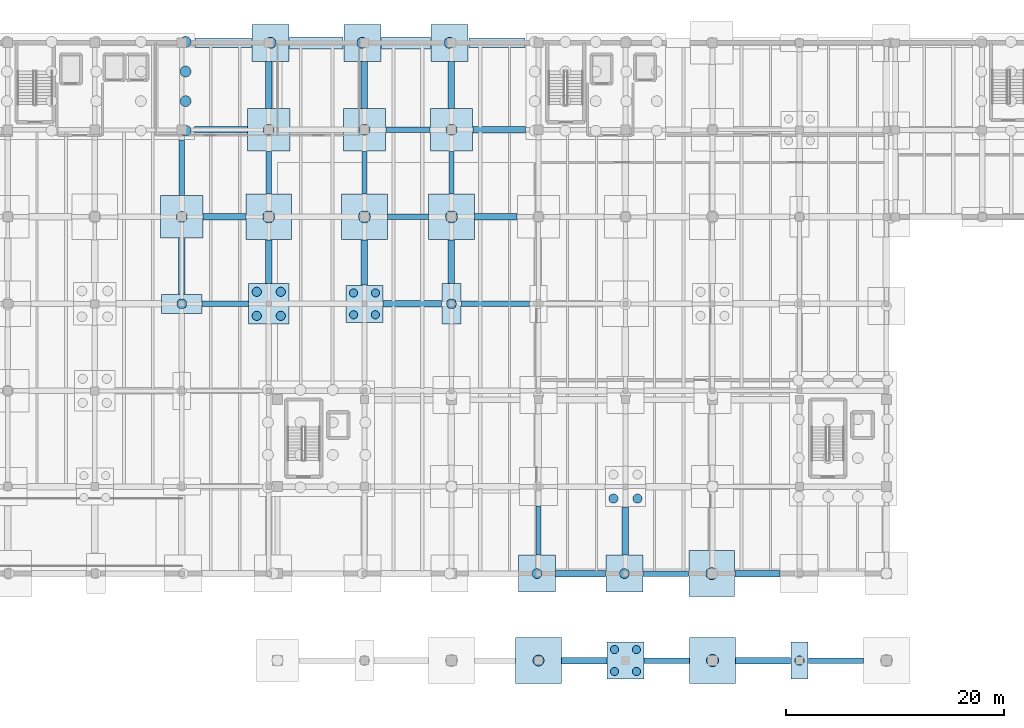
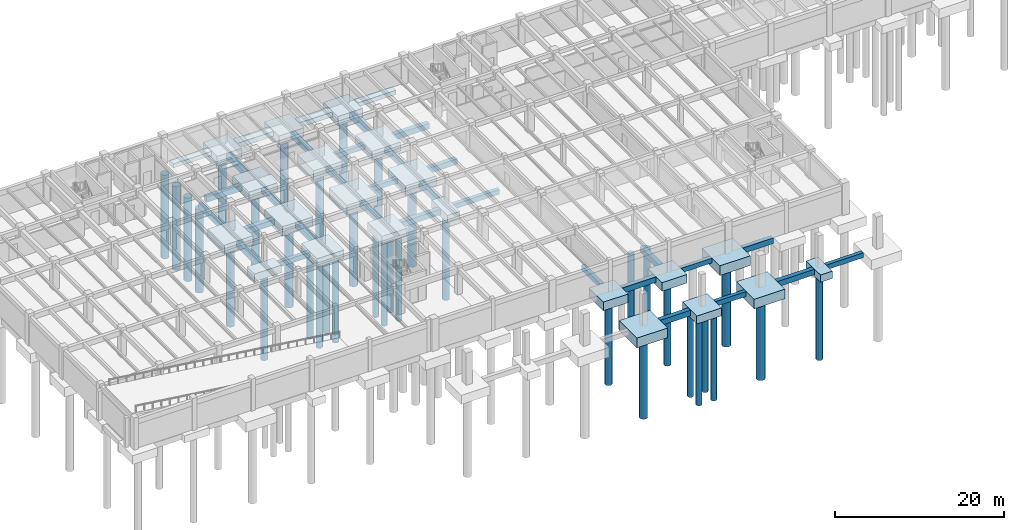
# One storey, part 3 of 25: 54 footings, 36 piles.
"""IFC4 building model written with IfcOpenShell, lengths in metres."""

from ifc_helpers import new_model, si_unit, direction, frame, origin, origin_2d, place, context, subcontext, project, spatial, rectangle, circle, extrude, material, layer, layer_set, material_profile, profile_set, type_object, element, save


model = new_model("IFC4")

# Units and contexts
model_context = context("Model", 3, precision=1e-05, world=origin(), true_north=direction((0.0, 1.0)))
body_context = subcontext(model_context, "Body", "Model", "MODEL_VIEW")
ifc_project = project(units=[si_unit("LENGTHUNIT", "METRE"), si_unit("AREAUNIT", "SQUARE_METRE"), si_unit("VOLUMEUNIT", "CUBIC_METRE"), si_unit("PLANEANGLEUNIT", "RADIAN"), si_unit("MASSUNIT", "GRAM", prefix="KILO")], contexts=[model_context])

# Site, building, storey
site_placement = place(None, origin())
site = spatial("IfcSite", under=ifc_project, at=site_placement, CompositionType="ELEMENT")
building_placement = place(site_placement, origin())
building = spatial("IfcBuilding", under=site, at=building_placement, Name="Tlaxcora Railside Police Headquarters", CompositionType="ELEMENT")
storey_placement = place(building_placement, frame((0.0, 0.0, -4.199951171875)))
storey = spatial("IfcBuildingStorey", under=building, at=storey_placement, Name="B1", CompositionType="ELEMENT", Elevation=-4.199951171875)

# Piles
ifc_material_1 = material(Name="Concrete C35/45", Category="concrete")
ifc_material_profile_1 = material_profile(ifc_material_1, circle(Radius=0.425048828125, at=origin_2d()), Name="PILE850")
ifc_profile_set_1 = profile_set([ifc_material_profile_1], Name="Concrete C35/45")
pile_type_1 = type_object("IfcPileType", Name="Cast-in-Place Bored Pile PL-12", PredefinedType="BORED", material=ifc_profile_set_1)
for number, where, z_axis, x_axis, name in (
    (1, (44.094970703125, 67.695068359375, -1.5400390625), (0.0, 0.0, -1.0), (1.0, 0.0, 0.0), "Bored pile PILE-037-1"),
    (2, (44.094970703125, 69.905029296875, -1.5400390625), (0.0, 0.0, -1.0), (1.0, 0.0, 0.0), "Bored pile PILE-037-2"),
    (3, (46.304931640625, 67.695068359375, -1.5400390625), (0.0, 0.0, -1.0), (1.0, 0.0, 0.0), "Bored pile PILE-037-3"),
    (4, (46.304931640625, 69.905029296875, -1.5400390625), (0.0, 0.0, -1.0), (1.0, 0.0, 0.0), "Bored pile PILE-037-4"),
    (5, (76.89501953125, 50.89501953125, -1.5400390625), (0.0, 0.0, -1.0), (1.0, 0.0, 0.0), "Bored pile PILE-064-1"),
    (6, (79.10498046875, 50.89501953125, -1.5400390625), (0.0, 0.0, -1.0), (1.0, 0.0, 0.0), "Bored pile PILE-064-3"),
):
    element("IfcPile", number, at=place(storey_placement, frame(where, z_axis=z_axis, x_axis=x_axis)), inside=storey, type_object=pile_type_1, Name=name, PredefinedType="BORED", context=body_context, shape_type="SweptSolid", body=[
        extrude(circle(Radius=0.425048828125, at=origin_2d()), origin(), (0.0, 0.0, 1.0), 12.260009765625),
    ])
pile_1_placement = place(storey_placement, frame((94.0, 36.0, -1.340087890625), z_axis=(0.0, 0.0, -1.0), x_axis=(1.0, 0.0, 0.0)))
element("IfcPile", 7, at=pile_1_placement, inside=storey, type_object=pile_type_1, Name="Bored pile PILE-078-1", PredefinedType="BORED", context=body_context, shape_type="SweptSolid", body=[
    extrude(circle(Radius=0.425048828125, at=origin_2d()), origin(), (0.0, 0.0, 1.0), 12.4599609375),
])
ifc_material_profile_2 = material_profile(ifc_material_1, circle(Radius=0.449951171875, at=origin_2d()), Name="PILE900")
ifc_profile_set_2 = profile_set([ifc_material_profile_2], Name="Concrete C35/45")
pile_type_2 = type_object("IfcPileType", Name="Cast-in-Place Bored Pile PL-52", PredefinedType="BORED", material=ifc_profile_set_2)
for number, where, z_axis, x_axis, name in (
    (8, (37.199951171875, 68.800048828125, -1.39013671875), (0.0, 0.0, -1.0), (1.0, 0.0, 0.0), "Bored pile PILE-034-1"),
    (9, (62.0, 68.800048828125, -1.39013671875), (0.0, 0.0, -1.0), (1.0, 0.0, 0.0), "Bored pile PILE-053-1"),
):
    element("IfcPile", number, at=place(storey_placement, frame(where, z_axis=z_axis, x_axis=x_axis)), inside=storey, type_object=pile_type_2, Name=name, PredefinedType="BORED", context=body_context, shape_type="SweptSolid", body=[
        extrude(circle(Radius=0.449951171875, at=origin_2d()), origin(), (0.0, 0.0, 1.0), 12.409912109375),
    ])
for number, where, z_axis, x_axis, name in (
    (10, (69.866455078125, 44.0, -1.5400390625), (0.0, 0.0, -1.0), (1.0, 0.0, 0.0), "Bored pile PILE-056-1"),
    (11, (77.89990234375, 44.0, -1.5400390625), (0.0, 0.0, -1.0), (1.0, 0.0, 0.0), "Bored pile PILE-062-1"),
):
    element("IfcPile", number, at=place(storey_placement, frame(where, z_axis=z_axis, x_axis=x_axis)), inside=storey, type_object=pile_type_2, Name=name, PredefinedType="BORED", context=body_context, shape_type="SweptSolid", body=[
        extrude(circle(Radius=0.449951171875, at=origin_2d()), origin(), (0.0, 0.0, 1.0), 12.260009765625),
    ])
ifc_material_profile_3 = material_profile(ifc_material_1, circle(Radius=0.375, at=origin_2d()), Name="PILE750")
ifc_profile_set_3 = profile_set([ifc_material_profile_3], Name="Concrete C35/45")
pile_type_3 = type_object("IfcPileType", Name="Cast-in-Place Bored Pile PL-58", PredefinedType="BORED", material=ifc_profile_set_3)
for number, where, z_axis, x_axis, name in (
    (12, (52.9951171875, 67.794921875, -1.43994140625), (0.0, 0.0, -1.0), (1.0, 0.0, 0.0), "Bored pile PILE-045-1"),
    (13, (52.9951171875, 69.804931640625, -1.43994140625), (0.0, 0.0, -1.0), (1.0, 0.0, 0.0), "Bored pile PILE-045-2"),
    (14, (55.0048828125, 67.794921875, -1.43994140625), (0.0, 0.0, -1.0), (1.0, 0.0, 0.0), "Bored pile PILE-045-3"),
    (15, (55.0048828125, 69.804931640625, -1.43994140625), (0.0, 0.0, -1.0), (1.0, 0.0, 0.0), "Bored pile PILE-045-4"),
    (16, (76.9951171875, 34.9951171875, -1.43994140625), (0.0, 0.0, -1.0), (1.0, 0.0, 0.0), "Bored pile PILE-063-1"),
    (17, (76.9951171875, 37.0048828125, -1.43994140625), (0.0, 0.0, -1.0), (1.0, 0.0, 0.0), "Bored pile PILE-063-2"),
    (18, (79.0048828125, 34.9951171875, -1.43994140625), (0.0, 0.0, -1.0), (1.0, 0.0, 0.0), "Bored pile PILE-063-3"),
    (19, (79.0048828125, 37.0048828125, -1.43994140625), (0.0, 0.0, -1.0), (1.0, 0.0, 0.0), "Bored pile PILE-063-4"),
):
    element("IfcPile", number, at=place(storey_placement, frame(where, z_axis=z_axis, x_axis=x_axis)), inside=storey, type_object=pile_type_3, Name=name, PredefinedType="BORED", context=body_context, shape_type="SweptSolid", body=[
        extrude(circle(Radius=0.375, at=origin_2d()), origin(), (0.0, 0.0, 1.0), 12.360107421875),
    ])
ifc_material_profile_4 = material_profile(ifc_material_1, circle(Radius=0.5, at=origin_2d()), Name="PILE1000")
ifc_profile_set_4 = profile_set([ifc_material_profile_4], Name="Concrete C35/45")
pile_type_4 = type_object("IfcPileType", Name="Cast-in-Place Bored Pile PL-74", PredefinedType="BORED", material=ifc_profile_set_4)
for number, where, z_axis, x_axis, name in (
    (20, (37.548583984375, 84.719970703125, -1.739990234375), (0.0, 0.0, -1.0), (1.0, 0.0, 0.0), "Bored pile PILE-001-17"),
    (21, (37.548583984375, 87.43994140625, -1.739990234375), (0.0, 0.0, -1.0), (1.0, 0.0, 0.0), "Bored pile PILE-001-18"),
    (22, (37.548583984375, 90.159912109375, -1.739990234375), (0.0, 0.0, -1.0), (1.0, 0.0, 0.0), "Bored pile PILE-001-19"),
    (23, (37.548583984375, 92.8798828125, -1.739990234375), (0.0, 0.0, -1.0), (1.0, 0.0, 0.0), "Bored pile PILE-001-20"),
):
    element("IfcPile", number, at=place(storey_placement, frame(where, z_axis=z_axis, x_axis=x_axis)), inside=storey, type_object=pile_type_4, Name=name, PredefinedType="BORED", context=body_context, shape_type="SweptSolid", body=[
        extrude(circle(Radius=0.5, at=origin_2d()), origin(), (0.0, 0.0, 1.0), 12.06005859375),
    ])
for number, where, z_axis, x_axis, name in (
    (24, (37.199951171875, 76.800048828125, -1.590087890625), (0.0, 0.0, -1.0), (1.0, 0.0, 0.0), "Bored pile PILE-035-1"),
    (25, (45.199951171875, 84.800048828125, -1.590087890625), (0.0, 0.0, -1.0), (1.0, 0.0, 0.0), "Bored pile PILE-039-1"),
):
    element("IfcPile", number, at=place(storey_placement, frame(where, z_axis=z_axis, x_axis=x_axis)), inside=storey, type_object=pile_type_4, Name=name, PredefinedType="BORED", context=body_context, shape_type="SweptSolid", body=[
        extrude(circle(Radius=0.5, at=origin_2d()), origin(), (0.0, 0.0, 1.0), 12.2099609375),
    ])
for number, where, z_axis, x_axis, name in (
    (26, (45.366455078125, 92.800048828125, -1.64013671875), (0.0, 0.0, -1.0), (1.0, 0.0, 0.0), "Bored pile PILE-040-1"),
    (27, (53.800048828125, 92.800048828125, -1.64013671875), (0.0, 0.0, -1.0), (1.0, 0.0, 0.0), "Bored pile PILE-043-1"),
):
    element("IfcPile", number, at=place(storey_placement, frame(where, z_axis=z_axis, x_axis=x_axis)), inside=storey, type_object=pile_type_4, Name=name, PredefinedType="BORED", context=body_context, shape_type="SweptSolid", body=[
        extrude(circle(Radius=0.5, at=origin_2d()), origin(), (0.0, 0.0, 1.0), 12.159912109375),
    ])
pile_2_placement = place(storey_placement, frame((54.0, 84.800048828125, -1.590087890625), z_axis=(0.0, 0.0, -1.0), x_axis=(1.0, 0.0, 0.0)))
element("IfcPile", 28, at=pile_2_placement, inside=storey, type_object=pile_type_4, Name="Bored pile PILE-047-1", PredefinedType="BORED", context=body_context, shape_type="SweptSolid", body=[
    extrude(circle(Radius=0.5, at=origin_2d()), origin(), (0.0, 0.0, 1.0), 12.2099609375),
])
pile_3_placement = place(storey_placement, frame((61.83349609375, 92.800048828125, -1.64013671875), z_axis=(0.0, 0.0, -1.0), x_axis=(1.0, 0.0, 0.0)))
element("IfcPile", 29, at=pile_3_placement, inside=storey, type_object=pile_type_4, Name="Bored pile PILE-049-1", PredefinedType="BORED", context=body_context, shape_type="SweptSolid", body=[
    extrude(circle(Radius=0.5, at=origin_2d()), origin(), (0.0, 0.0, 1.0), 12.159912109375),
])
pile_4_placement = place(storey_placement, frame((62.0, 84.800048828125, -1.590087890625), z_axis=(0.0, 0.0, -1.0), x_axis=(1.0, 0.0, 0.0)))
element("IfcPile", 30, at=pile_4_placement, inside=storey, type_object=pile_type_4, Name="Bored pile PILE-055-1", PredefinedType="BORED", context=body_context, shape_type="SweptSolid", body=[
    extrude(circle(Radius=0.5, at=origin_2d()), origin(), (0.0, 0.0, 1.0), 12.2099609375),
])
pile_5_placement = place(storey_placement, frame((70.0, 36.0, -1.68994140625), z_axis=(0.0, 0.0, -1.0), x_axis=(1.0, 0.0, 0.0)))
element("IfcPile", 31, at=pile_5_placement, inside=storey, type_object=pile_type_4, Name="Bored pile PILE-057-1", PredefinedType="BORED", context=body_context, shape_type="SweptSolid", body=[
    extrude(circle(Radius=0.5, at=origin_2d()), origin(), (0.0, 0.0, 1.0), 12.110107421875),
])
ifc_material_profile_5 = material_profile(ifc_material_1, circle(Radius=0.550048828125, at=origin_2d()), Name="PILE1100")
ifc_profile_set_5 = profile_set([ifc_material_profile_5], Name="Concrete C35/45")
pile_type_5 = type_object("IfcPileType", Name="Cast-in-Place Bored Pile PL-78", PredefinedType="BORED", material=ifc_profile_set_5)
for number, where, z_axis, x_axis, name in (
    (32, (45.199951171875, 76.800048828125, -1.68994140625), (0.0, 0.0, -1.0), (1.0, 0.0, 0.0), "Bored pile PILE-038-1"),
    (33, (54.0, 76.800048828125, -1.68994140625), (0.0, 0.0, -1.0), (1.0, 0.0, 0.0), "Bored pile PILE-046-1"),
    (34, (62.0, 76.800048828125, -1.68994140625), (0.0, 0.0, -1.0), (1.0, 0.0, 0.0), "Bored pile PILE-054-1"),
    (35, (85.93359375, 44.0, -1.68994140625), (0.0, 0.0, -1.0), (1.0, 0.0, 0.0), "Bored pile PILE-068-1"),
    (36, (86.0, 36.0, -1.68994140625), (0.0, 0.0, -1.0), (1.0, 0.0, 0.0), "Bored pile PILE-070-1"),
):
    element("IfcPile", number, at=place(storey_placement, frame(where, z_axis=z_axis, x_axis=x_axis)), inside=storey, type_object=pile_type_5, Name=name, PredefinedType="BORED", context=body_context, shape_type="SweptSolid", body=[
        extrude(circle(Radius=0.550048828125, at=origin_2d()), origin(), (0.0, 0.0, 1.0), 12.110107421875),
    ])

# Footings
ifc_material_2 = material(Name="Concrete C40/50", Category="concrete")
ifc_layer_1 = layer(ifc_material_2, 1.35009765625, Name="Concrete C40/50")
ifc_layer_set_1 = layer_set([ifc_layer_1], Name="Concrete C40/50")
footing_type_1 = type_object("IfcFootingType", Name="Reinforced Concrete Pile Cap FT-227", PredefinedType="PILE_CAP", material=ifc_layer_set_1)
for number, where, z_axis, x_axis, name in (
    (37, (45.366455078125, 92.800048828125, -1.7900390625), (0.0, 0.0, 1.0), (1.0, 0.0, 0.0), "Pile cap CAP-B1-040"),
    (38, (53.800048828125, 92.800048828125, -1.7900390625), (0.0, 0.0, 1.0), (1.0, 0.0, 0.0), "Pile cap CAP-B1-043"),
    (39, (61.83349609375, 92.800048828125, -1.7900390625), (0.0, 0.0, 1.0), (1.0, 0.0, 0.0), "Pile cap CAP-B1-049"),
):
    element("IfcFooting", number, at=place(storey_placement, frame(where, z_axis=z_axis, x_axis=x_axis)), inside=storey, type_object=footing_type_1, Name=name, PredefinedType="PILE_CAP", context=body_context, shape_type="SweptSolid", body=[
        extrude(rectangle(XDim=3.39990234375, YDim=3.39990234375, at=origin_2d()), origin(), (0.0, 0.0, 1.0), 1.35009765625),
    ])
for number, where, z_axis, x_axis, name in (
    (40, (69.866455078125, 44.0, -1.68994140625), (0.0, 0.0, 1.0), (1.0, 0.0, 0.0), "Pile cap CAP-B1-056"),
    (41, (77.89990234375, 44.0, -1.68994140625), (0.0, 0.0, 1.0), (1.0, 0.0, 0.0), "Pile cap CAP-B1-062"),
):
    element("IfcFooting", number, at=place(storey_placement, frame(where, z_axis=z_axis, x_axis=x_axis)), inside=storey, type_object=footing_type_1, Name=name, PredefinedType="PILE_CAP", context=body_context, shape_type="SweptSolid", body=[
        extrude(rectangle(XDim=3.39990234375, YDim=3.39990234375, at=origin_2d()), origin(), (0.0, 0.0, 1.0), 1.25),
    ])
ifc_layer_2 = layer(ifc_material_2, 1.050048828125, Name="Concrete C40/50")
ifc_layer_set_2 = layer_set([ifc_layer_2], Name="Concrete C40/50")
footing_type_2 = type_object("IfcFootingType", Name="Reinforced Concrete Pile Cap FT-30", PredefinedType="PILE_CAP", material=ifc_layer_set_2)
footing_1_placement = place(storey_placement, frame((94.0, 36.0, -1.490234375), z_axis=(0.0, 0.0, 1.0), x_axis=(1.0, 0.0, 0.0)))
element("IfcFooting", 42, at=footing_1_placement, inside=storey, type_object=footing_type_2, Name="Pile cap CAP-B1-078", PredefinedType="PILE_CAP", context=body_context, shape_type="SweptSolid", body=[
    extrude(rectangle(XDim=1.60009765625, YDim=3.39990234375, at=origin_2d()), origin(), (0.0, 0.0, 1.0), 1.050048828125),
])
ifc_layer_3 = layer(ifc_material_2, 1.14990234375, Name="Concrete C40/50")
ifc_layer_set_3 = layer_set([ifc_layer_3], Name="Concrete C40/50")
footing_type_3 = type_object("IfcFootingType", Name="Reinforced Concrete Pile Cap FT-44", PredefinedType="PILE_CAP", material=ifc_layer_set_3)
for number, where, z_axis, x_axis, name in (
    (43, (54.0, 68.800048828125, -1.590087890625), (0.0, 0.0, 1.0), (1.0, 0.0, 0.0), "Pile cap CAP-B1-045"),
    (44, (78.0, 36.0, -1.590087890625), (0.0, 0.0, 1.0), (1.0, 0.0, 0.0), "Pile cap CAP-B1-063"),
):
    element("IfcFooting", number, at=place(storey_placement, frame(where, z_axis=z_axis, x_axis=x_axis)), inside=storey, type_object=footing_type_3, Name=name, PredefinedType="PILE_CAP", context=body_context, shape_type="SweptSolid", body=[
        extrude(rectangle(XDim=3.39990234375, YDim=3.39990234375, at=origin_2d()), origin(), (0.0, 0.0, 1.0), 1.14990234375),
    ])
ifc_layer_4 = layer(ifc_material_2, 1.300048828125, Name="Concrete C40/50")
ifc_layer_set_4 = layer_set([ifc_layer_4], Name="Concrete C40/50")
footing_type_4 = type_object("IfcFootingType", Name="Reinforced Concrete Pile Cap FT-75", PredefinedType="PILE_CAP", material=ifc_layer_set_4)
for number, where, z_axis, x_axis, name in (
    (45, (37.199951171875, 76.800048828125, -1.740234375), (0.0, 0.0, 1.0), (1.0, 0.0, 0.0), "Pile cap CAP-B1-035"),
    (46, (45.199951171875, 84.800048828125, -1.740234375), (0.0, 0.0, 1.0), (1.0, 0.0, 0.0), "Pile cap CAP-B1-039"),
    (47, (54.0, 84.800048828125, -1.740234375), (0.0, 0.0, 1.0), (1.0, 0.0, 0.0), "Pile cap CAP-B1-047"),
    (48, (62.0, 84.800048828125, -1.740234375), (0.0, 0.0, 1.0), (1.0, 0.0, 0.0), "Pile cap CAP-B1-055"),
):
    element("IfcFooting", number, at=place(storey_placement, frame(where, z_axis=z_axis, x_axis=x_axis)), inside=storey, type_object=footing_type_4, Name=name, PredefinedType="PILE_CAP", context=body_context, shape_type="SweptSolid", body=[
        extrude(rectangle(XDim=3.89990234375, YDim=3.89990234375, at=origin_2d()), origin(), (0.0, 0.0, 1.0), 1.300048828125),
    ])
ifc_layer_5 = layer(ifc_material_2, 1.10009765625, Name="Concrete C40/50")
ifc_layer_set_5 = layer_set([ifc_layer_5], Name="Concrete C40/50")
footing_type_5 = type_object("IfcFootingType", Name="Reinforced Concrete Pile Cap FT-77", PredefinedType="PILE_CAP", material=ifc_layer_set_5)
footing_2_placement = place(storey_placement, frame((37.199951171875, 68.800048828125, -1.5400390625), z_axis=(0.0, 0.0, 1.0), x_axis=(1.0, 0.0, 0.0)))
element("IfcFooting", 49, at=footing_2_placement, inside=storey, type_object=footing_type_5, Name="Pile cap CAP-B1-034", PredefinedType="PILE_CAP", context=body_context, shape_type="SweptSolid", body=[
    extrude(rectangle(XDim=3.699951171875, YDim=1.75, at=origin_2d()), origin(), (0.0, 0.0, 1.0), 1.10009765625),
])
ifc_layer_6 = layer(ifc_material_2, 1.25, Name="Concrete C40/50")
ifc_layer_set_6 = layer_set([ifc_layer_6], Name="Concrete C40/50")
footing_type_6 = type_object("IfcFootingType", Name="Reinforced Concrete Pile Cap FT-78", PredefinedType="PILE_CAP", material=ifc_layer_set_6)
footing_3_placement = place(storey_placement, frame((45.199951171875, 68.800048828125, -1.68994140625), z_axis=(0.0, 0.0, 1.0), x_axis=(1.0, 0.0, 0.0)))
element("IfcFooting", 50, at=footing_3_placement, inside=storey, type_object=footing_type_6, Name="Pile cap CAP-B1-037", PredefinedType="PILE_CAP", context=body_context, shape_type="SweptSolid", body=[
    extrude(rectangle(XDim=3.699951171875, YDim=3.699951171875, at=origin_2d()), origin(), (0.0, 0.0, 1.0), 1.25),
])
ifc_layer_7 = layer(ifc_material_2, 1.39990234375, Name="Concrete C40/50")
ifc_layer_set_7 = layer_set([ifc_layer_7], Name="Concrete C40/50")
footing_type_7 = type_object("IfcFootingType", Name="Reinforced Concrete Pile Cap FT-93", PredefinedType="PILE_CAP", material=ifc_layer_set_7)
for number, where, z_axis, x_axis, name in (
    (51, (45.199951171875, 76.800048828125, -1.840087890625), (0.0, 0.0, 1.0), (1.0, 0.0, 0.0), "Pile cap CAP-B1-038"),
    (52, (54.0, 76.800048828125, -1.840087890625), (0.0, 0.0, 1.0), (1.0, 0.0, 0.0), "Pile cap CAP-B1-046"),
    (53, (62.0, 76.800048828125, -1.840087890625), (0.0, 0.0, 1.0), (1.0, 0.0, 0.0), "Pile cap CAP-B1-054"),
    (54, (70.0, 36.0, -1.840087890625), (0.0, 0.0, 1.0), (1.0, 0.0, 0.0), "Pile cap CAP-B1-057"),
    (55, (85.93359375, 44.0, -1.840087890625), (0.0, 0.0, 1.0), (1.0, 0.0, 0.0), "Pile cap CAP-B1-068"),
    (56, (86.0, 36.0, -1.840087890625), (0.0, 0.0, 1.0), (1.0, 0.0, 0.0), "Pile cap CAP-B1-070"),
):
    element("IfcFooting", number, at=place(storey_placement, frame(where, z_axis=z_axis, x_axis=x_axis)), inside=storey, type_object=footing_type_7, Name=name, PredefinedType="PILE_CAP", context=body_context, shape_type="SweptSolid", body=[
        extrude(rectangle(XDim=4.199951171875, YDim=4.199951171875, at=origin_2d()), origin(), (0.0, 0.0, 1.0), 1.39990234375),
    ])
ifc_layer_8 = layer(ifc_material_2, 1.10009765625, Name="Concrete C40/50")
ifc_layer_set_8 = layer_set([ifc_layer_8], Name="Concrete C40/50")
footing_type_8 = type_object("IfcFootingType", Name="Reinforced Concrete Pile Cap FT-97", PredefinedType="PILE_CAP", material=ifc_layer_set_8)
footing_4_placement = place(storey_placement, frame((62.0, 68.800048828125, -1.5400390625), z_axis=(0.0, 0.0, 1.0), x_axis=(1.0, 0.0, 0.0)))
element("IfcFooting", 57, at=footing_4_placement, inside=storey, type_object=footing_type_8, Name="Pile cap CAP-B1-053", PredefinedType="PILE_CAP", context=body_context, shape_type="SweptSolid", body=[
    extrude(rectangle(XDim=1.75, YDim=3.699951171875, at=origin_2d()), origin(), (0.0, 0.0, 1.0), 1.10009765625),
])
ifc_layer_9 = layer(ifc_material_1, 0.699951171875, Name="Concrete C35/45")
ifc_layer_set_9 = layer_set([ifc_layer_9], Name="Concrete C35/45")
footing_type_9 = type_object("IfcFootingType", Name="Reinforced Concrete Strip Footing FT-67", PredefinedType="STRIP_FOOTING", material=ifc_layer_set_9)
footing_5_placement = place(storey_placement, frame((49.583251953125, 92.800048828125, -1.14013671875), z_axis=(0.0, 0.0, 1.0), x_axis=(1.0, 0.0, 0.0)))
element("IfcFooting", 58, at=footing_5_placement, inside=storey, type_object=footing_type_9, Name="Retaining wall strip footing SF-08", PredefinedType="STRIP_FOOTING", context=body_context, shape_type="SweptSolid", body=[
    extrude(rectangle(XDim=4.91357421875, YDim=1.10009765625, at=origin_2d()), origin(), (0.0, 0.0, 1.0), 0.699951171875),
])
footing_6_placement = place(storey_placement, frame((57.816650390625, 92.800048828125, -1.14013671875), z_axis=(0.0, 0.0, 1.0), x_axis=(1.0, 0.0, 0.0)))
element("IfcFooting", 59, at=footing_6_placement, inside=storey, type_object=footing_type_9, Name="Retaining wall strip footing SF-10", PredefinedType="STRIP_FOOTING", context=body_context, shape_type="SweptSolid", body=[
    extrude(rectangle(XDim=4.513427734375, YDim=1.10009765625, at=origin_2d()), origin(), (0.0, 0.0, 1.0), 0.699951171875),
])
ifc_layer_10 = layer(ifc_material_1, 0.60009765625, Name="Concrete C35/45")
ifc_layer_set_10 = layer_set([ifc_layer_10], Name="Concrete C35/45")
footing_type_10 = type_object("IfcFootingType", Name="Reinforced Concrete Strip Footing FT-98", PredefinedType="STRIP_FOOTING", material=ifc_layer_set_10)
for number, where, z_axis, x_axis, name in (
    (60, (41.017578125, 92.800048828125, -1.0400390625), (0.0, 0.0, 1.0), (1.0, 0.0, 0.0), "Retaining wall strip footing SF-07"),
    (61, (66.1826171875, 92.800048828125, -1.0400390625), (0.0, 0.0, 1.0), (1.0, 0.0, 0.0), "Retaining wall strip footing SF-09"),
):
    element("IfcFooting", number, at=place(storey_placement, frame(where, z_axis=z_axis, x_axis=x_axis)), inside=storey, type_object=footing_type_10, Name=name, PredefinedType="STRIP_FOOTING", context=body_context, shape_type="SweptSolid", body=[
        extrude(rectangle(XDim=5.177978515625, YDim=0.89990234375, at=origin_2d()), origin(), (0.0, 0.0, 1.0), 0.60009765625),
    ])
ifc_layer_11 = layer(ifc_material_1, 0.699951171875, Name="Concrete C35/45")
ifc_layer_set_11 = layer_set([ifc_layer_11], Name="Concrete C35/45")
footing_type_11 = type_object("IfcFootingType", Name="Reinforced Concrete Tie Beam FT-39", PredefinedType="FOOTING_BEAM", material=ifc_layer_set_11)
footing_7_placement = place(storey_placement, frame((81.800048828125, 36.0, -1.14013671875), z_axis=(0.0, 0.0, 1.0), x_axis=(1.0, 0.0, 0.0)))
element("IfcFooting", 62, at=footing_7_placement, inside=storey, type_object=footing_type_11, Name="Seismic tie beam TB-X-005", PredefinedType="FOOTING_BEAM", context=body_context, shape_type="SweptSolid", body=[
    extrude(rectangle(XDim=4.159912109375, YDim=0.5, at=origin_2d()), origin(), (0.0, 0.0, 1.0), 0.699951171875),
])
footing_8_placement = place(storey_placement, frame((97.35009765625, 36.0, -1.14013671875), z_axis=(0.0, 0.0, 1.0), x_axis=(1.0, 0.0, 0.0)))
element("IfcFooting", 63, at=footing_8_placement, inside=storey, type_object=footing_type_11, Name="Seismic tie beam TB-X-007", PredefinedType="FOOTING_BEAM", context=body_context, shape_type="SweptSolid", body=[
    extrude(rectangle(XDim=5.06005859375, YDim=0.5, at=origin_2d()), origin(), (0.0, 0.0, 1.0), 0.699951171875),
])
footing_9_placement = place(storey_placement, frame((81.716796875, 44.0, -1.14013671875), z_axis=(0.0, 0.0, 1.0), x_axis=(1.0, 0.0, 0.0)))
element("IfcFooting", 64, at=footing_9_placement, inside=storey, type_object=footing_type_11, Name="Seismic tie beam TB-X-017", PredefinedType="FOOTING_BEAM", context=body_context, shape_type="SweptSolid", body=[
    extrude(rectangle(XDim=4.193603515625, YDim=0.5, at=origin_2d()), origin(), (0.0, 0.0, 1.0), 0.699951171875),
])
footing_10_placement = place(storey_placement, frame((41.199951171875, 68.800048828125, -1.14013671875), z_axis=(0.0, 0.0, 1.0), x_axis=(1.0, 0.0, 0.0)))
element("IfcFooting", 65, at=footing_10_placement, inside=storey, type_object=footing_type_11, Name="Seismic tie beam TB-X-049", PredefinedType="FOOTING_BEAM", context=body_context, shape_type="SweptSolid", body=[
    extrude(rectangle(XDim=4.260009765625, YDim=0.5, at=origin_2d()), origin(), (0.0, 0.0, 1.0), 0.699951171875),
])
footing_11_placement = place(storey_placement, frame((66.03759765625, 68.800048828125, -1.14013671875), z_axis=(0.0, 0.0, 1.0), x_axis=(1.0, 0.0, 0.0)))
element("IfcFooting", 66, at=footing_11_placement, inside=storey, type_object=footing_type_11, Name="Seismic tie beam TB-X-051", PredefinedType="FOOTING_BEAM", context=body_context, shape_type="SweptSolid", body=[
    extrude(rectangle(XDim=6.284912109375, YDim=0.5, at=origin_2d()), origin(), (0.0, 0.0, 1.0), 0.699951171875),
])
footing_12_placement = place(storey_placement, frame((58.0, 76.800048828125, -1.14013671875), z_axis=(0.0, 0.0, 1.0), x_axis=(1.0, 0.0, 0.0)))
element("IfcFooting", 67, at=footing_12_placement, inside=storey, type_object=footing_type_11, Name="Seismic tie beam TB-X-061", PredefinedType="FOOTING_BEAM", context=body_context, shape_type="SweptSolid", body=[
    extrude(rectangle(XDim=3.760009765625, YDim=0.5, at=origin_2d()), origin(), (0.0, 0.0, 1.0), 0.699951171875),
])
footing_13_placement = place(storey_placement, frame((58.0, 84.800048828125, -1.14013671875), z_axis=(0.0, 0.0, 1.0), x_axis=(1.0, 0.0, 0.0)))
element("IfcFooting", 68, at=footing_13_placement, inside=storey, type_object=footing_type_11, Name="Seismic tie beam TB-X-077", PredefinedType="FOOTING_BEAM", context=body_context, shape_type="SweptSolid", body=[
    extrude(rectangle(XDim=4.06005859375, YDim=0.5, at=origin_2d()), origin(), (0.0, 0.0, 1.0), 0.699951171875),
])
footing_14_placement = place(storey_placement, frame((37.199951171875, 81.324951171875, -1.14013671875), z_axis=(0.0, 0.0, 1.0), x_axis=(0.0, 1.0, 0.0)))
element("IfcFooting", 69, at=footing_14_placement, inside=storey, type_object=footing_type_11, Name="Seismic tie beam TB-Y-113", PredefinedType="FOOTING_BEAM", context=body_context, shape_type="SweptSolid", body=[
    extrude(rectangle(XDim=5.110107421875, YDim=0.5, at=origin_2d()), origin(), (0.0, 0.0, 1.0), 0.699951171875),
])
for number, where, z_axis, x_axis, name in (
    (70, (45.199951171875, 80.875, -1.14013671875), (0.0, 0.0, 1.0), (0.0, 1.0, 0.0), "Seismic tie beam TB-Y-117"),
    (71, (54.0, 80.875, -1.14013671875), (0.0, 0.0, 1.0), (0.0, 1.0, 0.0), "Seismic tie beam TB-Y-123"),
    (72, (62.0, 80.875, -1.14013671875), (0.0, 0.0, 1.0), (0.0, 1.0, 0.0), "Seismic tie beam TB-Y-129"),
):
    element("IfcFooting", number, at=place(storey_placement, frame(where, z_axis=z_axis, x_axis=x_axis)), inside=storey, type_object=footing_type_11, Name=name, PredefinedType="FOOTING_BEAM", context=body_context, shape_type="SweptSolid", body=[
        extrude(rectangle(XDim=3.909912109375, YDim=0.5, at=origin_2d()), origin(), (0.0, 0.0, 1.0), 0.699951171875),
    ])
footing_15_placement = place(storey_placement, frame((70.0, 47.97509765625, -1.14013671875), z_axis=(0.0, 0.0, 1.0), x_axis=(0.0, 1.0, 0.0)))
element("IfcFooting", 73, at=footing_15_placement, inside=storey, type_object=footing_type_11, Name="Seismic tie beam TB-Y-131", PredefinedType="FOOTING_BEAM", context=body_context, shape_type="SweptSolid", body=[
    extrude(rectangle(XDim=4.510009765625, YDim=0.5, at=origin_2d()), origin(), (0.0, 0.0, 1.0), 0.699951171875),
])
ifc_layer_12 = layer(ifc_material_1, 0.800048828125, Name="Concrete C35/45")
ifc_layer_set_12 = layer_set([ifc_layer_12], Name="Concrete C35/45")
footing_type_12 = type_object("IfcFootingType", Name="Reinforced Concrete Tie Beam FT-96", PredefinedType="FOOTING_BEAM", material=ifc_layer_set_12)
footing_16_placement = place(storey_placement, frame((74.199951171875, 36.0, -1.240234375), z_axis=(0.0, 0.0, 1.0), x_axis=(1.0, 0.0, 0.0)))
element("IfcFooting", 74, at=footing_16_placement, inside=storey, type_object=footing_type_12, Name="Seismic tie beam TB-X-004", PredefinedType="FOOTING_BEAM", context=body_context, shape_type="SweptSolid", body=[
    extrude(rectangle(XDim=4.159912109375, YDim=0.60009765625, at=origin_2d()), origin(), (0.0, 0.0, 1.0), 0.800048828125),
])
footing_17_placement = place(storey_placement, frame((90.64990234375, 36.0, -1.240234375), z_axis=(0.0, 0.0, 1.0), x_axis=(1.0, 0.0, 0.0)))
element("IfcFooting", 75, at=footing_17_placement, inside=storey, type_object=footing_type_12, Name="Seismic tie beam TB-X-006", PredefinedType="FOOTING_BEAM", context=body_context, shape_type="SweptSolid", body=[
    extrude(rectangle(XDim=5.06005859375, YDim=0.60009765625, at=origin_2d()), origin(), (0.0, 0.0, 1.0), 0.800048828125),
])
footing_18_placement = place(storey_placement, frame((73.88330078125, 44.0, -1.240234375), z_axis=(0.0, 0.0, 1.0), x_axis=(1.0, 0.0, 0.0)))
element("IfcFooting", 76, at=footing_18_placement, inside=storey, type_object=footing_type_12, Name="Seismic tie beam TB-X-016", PredefinedType="FOOTING_BEAM", context=body_context, shape_type="SweptSolid", body=[
    extrude(rectangle(XDim=4.593505859375, YDim=0.60009765625, at=origin_2d()), origin(), (0.0, 0.0, 1.0), 0.800048828125),
])
footing_19_placement = place(storey_placement, frame((90.125, 44.0, -1.240234375), z_axis=(0.0, 0.0, 1.0), x_axis=(1.0, 0.0, 0.0)))
element("IfcFooting", 77, at=footing_19_placement, inside=storey, type_object=footing_type_12, Name="Seismic tie beam TB-X-018", PredefinedType="FOOTING_BEAM", context=body_context, shape_type="SweptSolid", body=[
    extrude(rectangle(XDim=4.14306640625, YDim=0.60009765625, at=origin_2d()), origin(), (0.0, 0.0, 1.0), 0.800048828125),
])
footing_20_placement = place(storey_placement, frame((58.41259765625, 68.800048828125, -1.240234375), z_axis=(0.0, 0.0, 1.0), x_axis=(1.0, 0.0, 0.0)))
element("IfcFooting", 78, at=footing_20_placement, inside=storey, type_object=footing_type_12, Name="Seismic tie beam TB-X-050", PredefinedType="FOOTING_BEAM", context=body_context, shape_type="SweptSolid", body=[
    extrude(rectangle(XDim=5.385009765625, YDim=0.60009765625, at=origin_2d()), origin(), (0.0, 0.0, 1.0), 0.800048828125),
])
for number, where, z_axis, x_axis, name in (
    (79, (41.125, 76.800048828125, -1.240234375), (0.0, 0.0, 1.0), (1.0, 0.0, 0.0), "Seismic tie beam TB-X-060"),
    (80, (66.074951171875, 76.800048828125, -1.240234375), (0.0, 0.0, 1.0), (1.0, 0.0, 0.0), "Seismic tie beam TB-X-062"),
):
    element("IfcFooting", number, at=place(storey_placement, frame(where, z_axis=z_axis, x_axis=x_axis)), inside=storey, type_object=footing_type_12, Name=name, PredefinedType="FOOTING_BEAM", context=body_context, shape_type="SweptSolid", body=[
        extrude(rectangle(XDim=3.909912109375, YDim=0.60009765625, at=origin_2d()), origin(), (0.0, 0.0, 1.0), 0.800048828125),
    ])
for number, where, z_axis, x_axis, name in (
    (81, (40.80908203125, 84.800048828125, -1.240234375), (0.0, 0.0, 1.0), (1.0, 0.0, 0.0), "Seismic tie beam TB-X-076"),
    (82, (66.390625, 84.800048828125, -1.240234375), (0.0, 0.0, 1.0), (1.0, 0.0, 0.0), "Seismic tie beam TB-X-078"),
):
    element("IfcFooting", number, at=place(storey_placement, frame(where, z_axis=z_axis, x_axis=x_axis)), inside=storey, type_object=footing_type_12, Name=name, PredefinedType="FOOTING_BEAM", context=body_context, shape_type="SweptSolid", body=[
        extrude(rectangle(XDim=4.841552734375, YDim=0.60009765625, at=origin_2d()), origin(), (0.0, 0.0, 1.0), 0.800048828125),
    ])
footing_21_placement = place(storey_placement, frame((37.199951171875, 72.262451171875, -1.240234375), z_axis=(0.0, 0.0, 1.0), x_axis=(0.0, 1.0, 0.0)))
element("IfcFooting", 83, at=footing_21_placement, inside=storey, type_object=footing_type_12, Name="Seismic tie beam TB-Y-112", PredefinedType="FOOTING_BEAM", context=body_context, shape_type="SweptSolid", body=[
    extrude(rectangle(XDim=5.135009765625, YDim=0.60009765625, at=origin_2d()), origin(), (0.0, 0.0, 1.0), 0.800048828125),
])
footing_22_placement = place(storey_placement, frame((45.199951171875, 72.675048828125, -1.240234375), z_axis=(0.0, 0.0, 1.0), x_axis=(0.0, 1.0, 0.0)))
element("IfcFooting", 84, at=footing_22_placement, inside=storey, type_object=footing_type_12, Name="Seismic tie beam TB-Y-116", PredefinedType="FOOTING_BEAM", context=body_context, shape_type="SweptSolid", body=[
    extrude(rectangle(XDim=4.010009765625, YDim=0.60009765625, at=origin_2d()), origin(), (0.0, 0.0, 1.0), 0.800048828125),
])
footing_23_placement = place(storey_placement, frame((45.199951171875, 88.925048828125, -1.240234375), z_axis=(0.0, 0.0, 1.0), x_axis=(0.0, 1.0, 0.0)))
element("IfcFooting", 85, at=footing_23_placement, inside=storey, type_object=footing_type_12, Name="Seismic tie beam TB-Y-118", PredefinedType="FOOTING_BEAM", context=body_context, shape_type="SweptSolid", body=[
    extrude(rectangle(XDim=4.31005859375, YDim=0.60009765625, at=origin_2d()), origin(), (0.0, 0.0, 1.0), 0.800048828125),
])
footing_24_placement = place(storey_placement, frame((54.0, 72.60009765625, -1.240234375), z_axis=(0.0, 0.0, 1.0), x_axis=(0.0, 1.0, 0.0)))
element("IfcFooting", 86, at=footing_24_placement, inside=storey, type_object=footing_type_12, Name="Seismic tie beam TB-Y-122", PredefinedType="FOOTING_BEAM", context=body_context, shape_type="SweptSolid", body=[
    extrude(rectangle(XDim=4.159912109375, YDim=0.60009765625, at=origin_2d()), origin(), (0.0, 0.0, 1.0), 0.800048828125),
])
footing_25_placement = place(storey_placement, frame((54.0, 88.925048828125, -1.240234375), z_axis=(0.0, 0.0, 1.0), x_axis=(0.0, 1.0, 0.0)))
element("IfcFooting", 87, at=footing_25_placement, inside=storey, type_object=footing_type_12, Name="Seismic tie beam TB-Y-124", PredefinedType="FOOTING_BEAM", context=body_context, shape_type="SweptSolid", body=[
    extrude(rectangle(XDim=4.31005859375, YDim=0.60009765625, at=origin_2d()), origin(), (0.0, 0.0, 1.0), 0.800048828125),
])
footing_26_placement = place(storey_placement, frame((62.0, 72.675048828125, -1.240234375), z_axis=(0.0, 0.0, 1.0), x_axis=(0.0, 1.0, 0.0)))
element("IfcFooting", 88, at=footing_26_placement, inside=storey, type_object=footing_type_12, Name="Seismic tie beam TB-Y-128", PredefinedType="FOOTING_BEAM", context=body_context, shape_type="SweptSolid", body=[
    extrude(rectangle(XDim=4.010009765625, YDim=0.60009765625, at=origin_2d()), origin(), (0.0, 0.0, 1.0), 0.800048828125),
])
footing_27_placement = place(storey_placement, frame((62.0, 88.925048828125, -1.240234375), z_axis=(0.0, 0.0, 1.0), x_axis=(0.0, 1.0, 0.0)))
element("IfcFooting", 89, at=footing_27_placement, inside=storey, type_object=footing_type_12, Name="Seismic tie beam TB-Y-130", PredefinedType="FOOTING_BEAM", context=body_context, shape_type="SweptSolid", body=[
    extrude(rectangle(XDim=4.31005859375, YDim=0.60009765625, at=origin_2d()), origin(), (0.0, 0.0, 1.0), 0.800048828125),
])
footing_28_placement = place(storey_placement, frame((78.0, 47.925048828125, -1.240234375), z_axis=(0.0, 0.0, 1.0), x_axis=(0.0, 1.0, 0.0)))
element("IfcFooting", 90, at=footing_28_placement, inside=storey, type_object=footing_type_12, Name="Seismic tie beam TB-Y-136", PredefinedType="FOOTING_BEAM", context=body_context, shape_type="SweptSolid", body=[
    extrude(rectangle(XDim=4.409912109375, YDim=0.60009765625, at=origin_2d()), origin(), (0.0, 0.0, 1.0), 0.800048828125),
])

save(model, "model.ifc")
